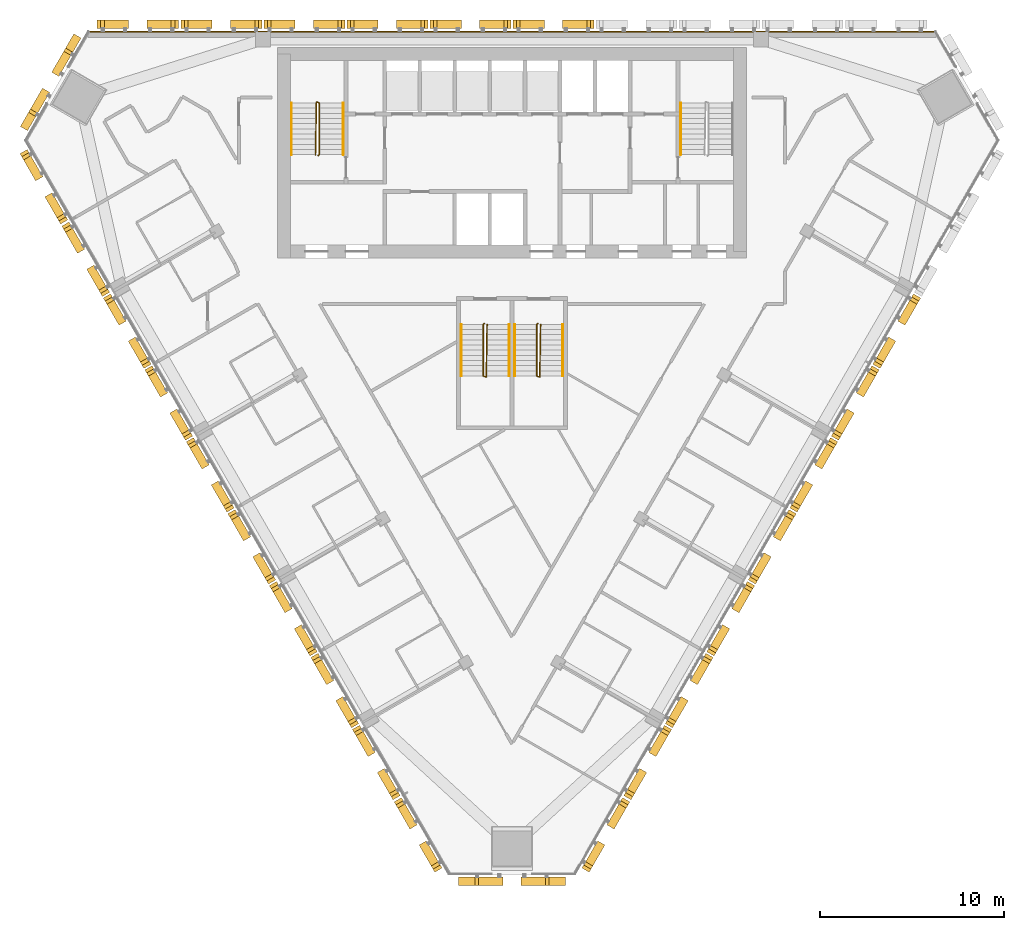
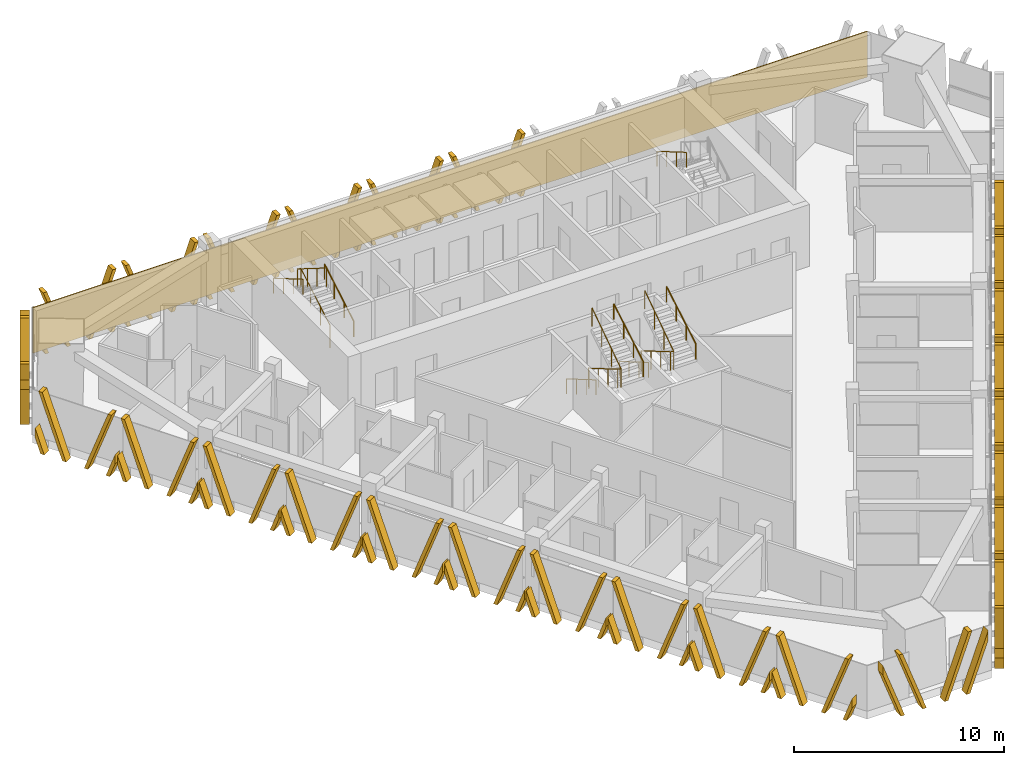
# One storey, part 14 of 16: 26 shading devices, 10 railings, 1 covering.
"""IFC4 building model written with IfcOpenShell, lengths in metres."""

from ifc_helpers import new_model, si_unit, direction, frame, frame_2d, origin, origin_2d, place, context, subcontext, project, spatial, polyline, rectangle, circle, outline, extrude, source, transform, mapped, material, layer, layer_set, type_object, element, save


model = new_model("IFC4")

# Units and contexts
model_context = context("Model", 3, precision=1e-05, world=origin(), true_north=direction((0.0, 1.0)))
body_context = subcontext(model_context, "Body", "Model", "MODEL_VIEW")
ifc_project = project(units=[si_unit("LENGTHUNIT", "METRE"), si_unit("AREAUNIT", "SQUARE_METRE"), si_unit("VOLUMEUNIT", "CUBIC_METRE"), si_unit("PLANEANGLEUNIT", "RADIAN"), si_unit("MASSUNIT", "GRAM", prefix="KILO")], contexts=[model_context])

# Site, building, storey
site_placement = place(None, origin())
site = spatial("IfcSite", under=ifc_project, at=site_placement, CompositionType="ELEMENT")
building_placement = place(site_placement, origin())
building = spatial("IfcBuilding", under=site, at=building_placement, Name="Altiplano Prism Tower", CompositionType="ELEMENT")
storey_placement = place(building_placement, frame((0.0, 0.0, 174.60009765625)))
storey = spatial("IfcBuildingStorey", under=building, at=storey_placement, Name="L45", CompositionType="ELEMENT", Elevation=174.60009765625)

# Railings
ifc_material_1 = material(Name="Steel S355", Category="steel")
railing_type_1 = type_object("IfcRailingType", Name="Stair guard 1100", PredefinedType="GUARDRAIL", material=ifc_material_1)
railing_1_placement = place(storey_placement, frame((74.5, 98.25, 0.0)))
element("IfcRailing", 1, at=railing_1_placement, inside=storey, type_object=railing_type_1, Name="L45 ST1 stair guard 1", PredefinedType="GUARDRAIL", context=body_context, shape_type="SweptSolid", body=[
    extrude(circle(Radius=0.02392578125, at=origin_2d()), frame((0.0, 0.0, 1.076171875), z_axis=(0.280808744504, 0.280808744504, 0.917765164963), x_axis=(-0.707106781187, 0.707106781187, 0.0)), (0.0, 0.0, 1.0), 0.17822265625),
    extrude(circle(Radius=0.02392578125, at=origin_2d()), frame((0.050048828125, 0.050048828125, 1.23974609375), z_axis=(0.0, 0.863393664356, 0.504530851732), x_axis=(-1.0, 0.0, 0.0)), (0.0, 0.0, 1.0), 3.2431640625),
    extrude(circle(Radius=0.02392578125, at=origin_2d()), frame((0.050048828125, 2.85009765625, 2.8759765625), z_axis=(-0.949145278916, 0.314838433982, 0.0), x_axis=(-0.314838433982, -0.949145278916, 0.0)), (0.0, 0.0, 1.0), 0.158203125),
    extrude(circle(Radius=0.02392578125, at=origin_2d()), frame((-0.10009765625, 2.89990234375, 2.8759765625), z_axis=(-0.01477401265, -0.845377694409, 0.533964682676), x_axis=(0.999847325713, -0.01747355902, 0.0)), (0.0, 0.0, 1.0), 3.37109375),
    extrude(circle(Radius=0.02099609375, at=origin_2d()), origin(), (0.0, 0.0, 1.0), 1.052001953125),
    extrude(circle(Radius=0.02099609375, at=origin_2d()), frame((0.050048828125, 0.050048828125, 0.16357421875)), (0.0, 0.0, 1.0), 1.052001953125),
    extrude(circle(Radius=0.02099609375, at=origin_2d()), frame((0.050048828125, 0.9833984375, 0.708984375)), (0.0, 0.0, 1.0), 1.052001953125),
    extrude(circle(Radius=0.02099609375, at=origin_2d()), frame((0.050048828125, 1.916748046875, 1.25439453125)), (0.0, 0.0, 1.0), 1.052001953125),
    extrude(circle(Radius=0.02099609375, at=origin_2d()), frame((0.050048828125, 2.85009765625, 1.7998046875)), (0.0, 0.0, 1.0), 1.052001953125),
    extrude(circle(Radius=0.02099609375, at=origin_2d()), frame((-0.10009765625, 2.89990234375, 1.7998046875)), (0.0, 0.0, 1.0), 1.052001953125),
    extrude(circle(Radius=0.02099609375, at=origin_2d()), frame((-0.11669921875, 1.949951171875, 2.39990234375)), (0.0, 0.0, 1.0), 1.052001953125),
    extrude(circle(Radius=0.02099609375, at=origin_2d()), frame((-0.13330078125, 1.0, 2.999755859375)), (0.0, 0.0, 1.0), 1.052001953125),
    extrude(circle(Radius=0.02099609375, at=origin_2d()), frame((-0.14990234375, 0.050048828125, 3.599853515625)), (0.0, 0.0, 1.0), 1.052001953125),
])
railing_2_placement = place(storey_placement, frame((83.5, 89.14990234375, 0.0)))
element("IfcRailing", 2, at=railing_2_placement, inside=storey, type_object=railing_type_1, Name="L45 ST3A stair guard 1", PredefinedType="GUARDRAIL", context=body_context, shape_type="SweptSolid", body=[
    extrude(circle(Radius=0.02392578125, at=origin_2d()), frame((0.0, 0.0, 1.076171875), z_axis=(-0.280916556609, -0.279546231943, 0.91811752648), x_axis=(0.705375805398, -0.708833529934, 0.0)), (0.0, 0.0, 1.0), 0.17822265625),
    extrude(circle(Radius=0.02392578125, at=origin_2d()), frame((-0.050048828125, -0.0498046875, 1.23974609375), z_axis=(0.0, -0.863393664356, 0.504530851732), x_axis=(1.0, 0.0, 0.0)), (0.0, 0.0, 1.0), 3.2431640625),
    extrude(circle(Radius=0.02392578125, at=origin_2d()), frame((-0.050048828125, -2.849853515625, 2.8759765625), z_axis=(0.948683298051, -0.316227766017, 0.0), x_axis=(0.316227766017, 0.948683298051, 0.0)), (0.0, 0.0, 1.0), 0.158203125),
    extrude(circle(Radius=0.02392578125, at=origin_2d()), frame((0.10009765625, -2.89990234375, 2.8759765625), z_axis=(0.014773108175, 0.84539835705, 0.533931993021), x_axis=(-0.999847351862, 0.017472062685, 0.0)), (0.0, 0.0, 1.0), 3.371337890625),
    extrude(circle(Radius=0.02099609375, at=origin_2d()), origin(), (0.0, 0.0, 1.0), 1.052001953125),
    extrude(circle(Radius=0.02099609375, at=origin_2d()), frame((-0.050048828125, -0.0498046875, 0.16357421875)), (0.0, 0.0, 1.0), 1.052001953125),
    extrude(circle(Radius=0.02099609375, at=origin_2d()), frame((-0.050048828125, -0.983154296875, 0.708984375)), (0.0, 0.0, 1.0), 1.052001953125),
    extrude(circle(Radius=0.02099609375, at=origin_2d()), frame((-0.050048828125, -1.91650390625, 1.25439453125)), (0.0, 0.0, 1.0), 1.052001953125),
    extrude(circle(Radius=0.02099609375, at=origin_2d()), frame((-0.050048828125, -2.849853515625, 1.7998046875)), (0.0, 0.0, 1.0), 1.052001953125),
    extrude(circle(Radius=0.02099609375, at=origin_2d()), frame((0.10009765625, -2.89990234375, 1.7998046875)), (0.0, 0.0, 1.0), 1.052001953125),
    extrude(circle(Radius=0.02099609375, at=origin_2d()), frame((0.11669921875, -1.949951171875, 2.39990234375)), (0.0, 0.0, 1.0), 1.052001953125),
    extrude(circle(Radius=0.02099609375, at=origin_2d()), frame((0.13330078125, -0.999755859375, 2.999755859375)), (0.0, 0.0, 1.0), 1.052001953125),
    extrude(circle(Radius=0.02099609375, at=origin_2d()), frame((0.14990234375, -0.0498046875, 3.599853515625)), (0.0, 0.0, 1.0), 1.052001953125),
])
railing_3_placement = place(storey_placement, frame((86.39990234375, 89.14990234375, 0.0)))
element("IfcRailing", 3, at=railing_3_placement, inside=storey, type_object=railing_type_1, Name="L45 ST3B stair guard 1", PredefinedType="GUARDRAIL", context=body_context, shape_type="SweptSolid", body=[
    extrude(circle(Radius=0.02392578125, at=origin_2d()), frame((0.0, 0.0, 1.076171875), z_axis=(-0.279653641804, -0.279653641804, 0.918470294159), x_axis=(0.707106781187, -0.707106781187, 0.0)), (0.0, 0.0, 1.0), 0.177978515625),
    extrude(circle(Radius=0.02392578125, at=origin_2d()), frame((-0.0498046875, -0.0498046875, 1.23974609375), z_axis=(0.0, -0.863393664356, 0.504530851732), x_axis=(1.0, 0.0, 0.0)), (0.0, 0.0, 1.0), 3.2431640625),
    extrude(circle(Radius=0.02392578125, at=origin_2d()), frame((-0.0498046875, -2.849853515625, 2.8759765625), z_axis=(0.948528701346, -0.316691178788, 0.0), x_axis=(0.316691178788, 0.948528701346, 0.0)), (0.0, 0.0, 1.0), 0.157958984375),
    extrude(circle(Radius=0.02392578125, at=origin_2d()), frame((0.10009765625, -2.89990234375, 2.8759765625), z_axis=(0.014845509451, 0.845397450405, 0.533931420407), x_axis=(-0.999845851991, 0.017557683712, 0.0)), (0.0, 0.0, 1.0), 3.371337890625),
    extrude(circle(Radius=0.02099609375, at=origin_2d()), origin(), (0.0, 0.0, 1.0), 1.052001953125),
    extrude(circle(Radius=0.02099609375, at=origin_2d()), frame((-0.0498046875, -0.0498046875, 0.16357421875)), (0.0, 0.0, 1.0), 1.052001953125),
    extrude(circle(Radius=0.02099609375, at=origin_2d()), frame((-0.0498046875, -0.983154296875, 0.708984375)), (0.0, 0.0, 1.0), 1.052001953125),
    extrude(circle(Radius=0.02099609375, at=origin_2d()), frame((-0.0498046875, -1.91650390625, 1.25439453125)), (0.0, 0.0, 1.0), 1.052001953125),
    extrude(circle(Radius=0.02099609375, at=origin_2d()), frame((-0.0498046875, -2.849853515625, 1.7998046875)), (0.0, 0.0, 1.0), 1.052001953125),
    extrude(circle(Radius=0.02099609375, at=origin_2d()), frame((0.10009765625, -2.89990234375, 1.7998046875)), (0.0, 0.0, 1.0), 1.052001953125),
    extrude(circle(Radius=0.02099609375, at=origin_2d()), frame((0.11669921875, -1.949951171875, 2.39990234375)), (0.0, 0.0, 1.0), 1.052001953125),
    extrude(circle(Radius=0.02099609375, at=origin_2d()), frame((0.133544921875, -0.999755859375, 2.999755859375)), (0.0, 0.0, 1.0), 1.052001953125),
    extrude(circle(Radius=0.02099609375, at=origin_2d()), frame((0.150146484375, -0.0498046875, 3.599853515625)), (0.0, 0.0, 1.0), 1.052001953125),
])
railing_type_2 = type_object("IfcRailingType", Name="Stair handrail 900", PredefinedType="HANDRAIL", material=ifc_material_1)
railing_4_placement = place(storey_placement, frame((75.85009765625, 98.300048828125, 0.16357421875)))
element("IfcRailing", 4, at=railing_4_placement, inside=storey, type_object=railing_type_2, Name="L45 ST1 stair handrail 1", PredefinedType="HANDRAIL", context=body_context, shape_type="SweptSolid", body=[
    extrude(circle(Radius=0.02392578125, at=origin_2d()), frame((0.0, 0.0, 0.8759765625), z_axis=(0.0, 0.863393664356, 0.504530851732), x_axis=(-1.0, 0.0, 0.0)), (0.0, 0.0, 1.0), 3.2431640625),
    extrude(circle(Radius=0.02099609375, at=origin_2d()), origin(), (0.0, 0.0, 1.0), 0.851806640625),
    extrude(circle(Radius=0.02099609375, at=origin_2d()), frame((0.0, 0.933349609375, 0.54541015625)), (0.0, 0.0, 1.0), 0.851806640625),
    extrude(circle(Radius=0.02099609375, at=origin_2d()), frame((0.0, 1.86669921875, 1.0908203125)), (0.0, 0.0, 1.0), 0.851806640625),
    extrude(circle(Radius=0.02099609375, at=origin_2d()), frame((0.0, 2.800048828125, 1.63623046875)), (0.0, 0.0, 1.0), 0.851806640625),
])
for number, where, name in (
    (5, (73.050048828125, 101.10009765625, 1.963623046875), "L45 ST1 stair handrail 2"),
    (6, (94.14990234375, 101.10009765625, 1.963623046875), "L45 ST2 stair handrail 2"),
    (7, (82.25, 89.10009765625, 0.16357421875), "L45 ST3A stair handrail 1"),
):
    element("IfcRailing", number, at=place(storey_placement, frame(where)), inside=storey, type_object=railing_type_2, Name=name, PredefinedType="HANDRAIL", context=body_context, shape_type="SweptSolid", body=[
        extrude(circle(Radius=0.02392578125, at=origin_2d()), frame((0.0, 0.0, 0.8759765625), z_axis=(0.0, -0.863393664356, 0.504530851732), x_axis=(1.0, 0.0, 0.0)), (0.0, 0.0, 1.0), 3.2431640625),
        extrude(circle(Radius=0.02099609375, at=origin_2d()), origin(), (0.0, 0.0, 1.0), 0.851806640625),
        extrude(circle(Radius=0.02099609375, at=origin_2d()), frame((0.0, -0.933349609375, 0.54541015625)), (0.0, 0.0, 1.0), 0.851806640625),
        extrude(circle(Radius=0.02099609375, at=origin_2d()), frame((0.0, -1.86669921875, 1.0908203125)), (0.0, 0.0, 1.0), 0.851806640625),
        extrude(circle(Radius=0.02099609375, at=origin_2d()), frame((0.0, -2.800048828125, 1.63623046875)), (0.0, 0.0, 1.0), 0.851806640625),
    ])
railing_5_placement = place(storey_placement, frame((84.85009765625, 86.300048828125, 1.963623046875)))
element("IfcRailing", 8, at=railing_5_placement, inside=storey, type_object=railing_type_2, Name="L45 ST3A stair handrail 2", PredefinedType="HANDRAIL", context=body_context, shape_type="SweptSolid", body=[
    extrude(circle(Radius=0.02392578125, at=origin_2d()), frame((0.0, 0.0, 0.8759765625), z_axis=(0.0, 0.863393664356, 0.504530851732), x_axis=(-1.0, 0.0, 0.0)), (0.0, 0.0, 1.0), 3.2431640625),
    extrude(circle(Radius=0.02099609375, at=origin_2d()), origin(), (0.0, 0.0, 1.0), 0.851806640625),
    extrude(circle(Radius=0.02099609375, at=origin_2d()), frame((0.0, 0.933349609375, 0.54541015625)), (0.0, 0.0, 1.0), 0.851806640625),
    extrude(circle(Radius=0.02099609375, at=origin_2d()), frame((0.0, 1.86669921875, 1.0908203125)), (0.0, 0.0, 1.0), 0.851806640625),
    extrude(circle(Radius=0.02099609375, at=origin_2d()), frame((0.0, 2.800048828125, 1.63623046875)), (0.0, 0.0, 1.0), 0.851806640625),
])
railing_6_placement = place(storey_placement, frame((85.14990234375, 89.10009765625, 0.16357421875)))
element("IfcRailing", 9, at=railing_6_placement, inside=storey, type_object=railing_type_2, Name="L45 ST3B stair handrail 1", PredefinedType="HANDRAIL", context=body_context, shape_type="SweptSolid", body=[
    extrude(circle(Radius=0.02392578125, at=origin_2d()), frame((0.0, 0.0, 0.8759765625), z_axis=(0.0, -0.863393664356, 0.504530851732), x_axis=(1.0, 0.0, 0.0)), (0.0, 0.0, 1.0), 3.2431640625),
    extrude(circle(Radius=0.02099609375, at=origin_2d()), origin(), (0.0, 0.0, 1.0), 0.851806640625),
    extrude(circle(Radius=0.02099609375, at=origin_2d()), frame((0.0, -0.933349609375, 0.54541015625)), (0.0, 0.0, 1.0), 0.851806640625),
    extrude(circle(Radius=0.02099609375, at=origin_2d()), frame((0.0, -1.86669921875, 1.0908203125)), (0.0, 0.0, 1.0), 0.851806640625),
    extrude(circle(Radius=0.02099609375, at=origin_2d()), frame((0.0, -2.800048828125, 1.63623046875)), (0.0, 0.0, 1.0), 0.851806640625),
])
railing_7_placement = place(storey_placement, frame((87.75, 86.300048828125, 1.963623046875)))
element("IfcRailing", 10, at=railing_7_placement, inside=storey, type_object=railing_type_2, Name="L45 ST3B stair handrail 2", PredefinedType="HANDRAIL", context=body_context, shape_type="SweptSolid", body=[
    extrude(circle(Radius=0.02392578125, at=origin_2d()), frame((0.0, 0.0, 0.8759765625), z_axis=(0.0, 0.863393664356, 0.504530851732), x_axis=(-1.0, 0.0, 0.0)), (0.0, 0.0, 1.0), 3.2431640625),
    extrude(circle(Radius=0.02099609375, at=origin_2d()), origin(), (0.0, 0.0, 1.0), 0.851806640625),
    extrude(circle(Radius=0.02099609375, at=origin_2d()), frame((0.0, 0.933349609375, 0.54541015625)), (0.0, 0.0, 1.0), 0.851806640625),
    extrude(circle(Radius=0.02099609375, at=origin_2d()), frame((0.0, 1.86669921875, 1.0908203125)), (0.0, 0.0, 1.0), 0.851806640625),
    extrude(circle(Radius=0.02099609375, at=origin_2d()), frame((0.0, 2.800048828125, 1.63623046875)), (0.0, 0.0, 1.0), 0.851806640625),
])

# Covering
ifc_material_2 = material(Name="Warm limestone cast stone", Category="masonry")
ifc_layer = layer(ifc_material_2, 0.06005859375)
ifc_layer_set = layer_set([ifc_layer], Name="Warm limestone cast stone")
covering_type = type_object("IfcCoveringType", Name="Stone cladding 60", PredefinedType="CLADDING", material=ifc_layer_set)
covering_placement = place(storey_placement, frame((62.0302734375, 104.969970703125, 0.0), z_axis=(0.0, 0.0, 1.0), x_axis=(1.0, 0.0, 0.0)))
element("IfcCovering", 11, at=covering_placement, inside=storey, type_object=covering_type, Name="Stone cladding north face L45", PredefinedType="CLADDING", context=body_context, shape_type="SweptSolid", body=[
    extrude(rectangle(XDim=45.939453125, YDim=0.06005859375, at=frame_2d((22.9697265625, 0.0))), origin(), (0.0, 0.0, 1.0), 2.64990234375),
])

# Shading devices
shading_device_type_1 = type_object("IfcShadingDeviceType", Name="Stone fin panel, standard unit", PredefinedType="USERDEFINED", material=ifc_material_2)
shared_shape_1 = source(origin(), body_context, "Body", "SweptSolid", [
    extrude(outline(polyline([(-2.199951171875, 1.373779296875), (-2.199951171875, 0.82421875), (-1.89990234375, 0.0), (-1.699951171875, 0.0), (-2.199951171875, 1.373779296875)])), frame((0.0, -0.14990234375, 0.0), z_axis=(0.0, -1.0, 0.0), x_axis=(1.0, 0.0, 0.0)), (0.0, 0.0, 1.0), 0.4501953125),
    extrude(outline(polyline([(-2.01025390625, 3.60009765625), (-0.699951171875, 0.0), (-0.5, 0.0), (-1.810302734375, 3.60009765625), (-2.01025390625, 3.60009765625)])), frame((0.0, -0.14990234375, 0.0), z_axis=(0.0, -1.0, 0.0), x_axis=(1.0, 0.0, 0.0)), (0.0, 0.0, 1.0), 0.4501953125),
    extrude(outline(polyline([(1.810302734375, 3.60009765625), (0.5, 0.0), (0.699951171875, 0.0), (2.01025390625, 3.60009765625), (1.810302734375, 3.60009765625)])), frame((0.0, -0.14990234375, 0.0), z_axis=(0.0, -1.0, 0.0), x_axis=(1.0, 0.0, 0.0)), (0.0, 0.0, 1.0), 0.4501953125),
    extrude(outline(polyline([(2.199951171875, 0.82421875), (2.199951171875, 1.373779296875), (1.699951171875, 0.0), (1.89990234375, 0.0), (2.199951171875, 0.82421875)])), frame((0.0, -0.14990234375, 0.0), z_axis=(0.0, -1.0, 0.0), x_axis=(1.0, 0.0, 0.0)), (0.0, 0.0, 1.0), 0.4501953125),
])
shading_device_1_placement = place(storey_placement, origin())
element("IfcShadingDevice", 12, at=shading_device_1_placement, inside=storey, type_object=shading_device_type_1, Name="Fin L45 north face 5", ObjectType="FIN", PredefinedType="USERDEFINED", context=body_context, shape_type="MappedRepresentation", body=[
    mapped(shared_shape_1, transform((87.25, 105.0, -0.4501953125), x_axis=(-1.0, 0.0, 0.0), y_axis=(0.0, -1.0, 0.0), z_axis=(0.0, 0.0, 1.0))),
])
shading_device_2_placement = place(storey_placement, origin())
element("IfcShadingDevice", 13, at=shading_device_2_placement, inside=storey, type_object=shading_device_type_1, Name="Fin L45 north face 6", ObjectType="FIN", PredefinedType="USERDEFINED", context=body_context, shape_type="MappedRepresentation", body=[
    mapped(shared_shape_1, transform((82.75, 105.0, -0.4501953125), x_axis=(-1.0, 0.0, 0.0), y_axis=(0.0, -1.0, 0.0), z_axis=(0.0, 0.0, 1.0))),
])
shading_device_3_placement = place(storey_placement, origin())
element("IfcShadingDevice", 14, at=shading_device_3_placement, inside=storey, type_object=shading_device_type_1, Name="Fin L45 north face 7", ObjectType="FIN", PredefinedType="USERDEFINED", context=body_context, shape_type="MappedRepresentation", body=[
    mapped(shared_shape_1, transform((78.25, 105.0, -0.4501953125), x_axis=(-1.0, 0.0, 0.0), y_axis=(0.0, -1.0, 0.0), z_axis=(0.0, 0.0, 1.0))),
])
shading_device_4_placement = place(storey_placement, origin())
element("IfcShadingDevice", 15, at=shading_device_4_placement, inside=storey, type_object=shading_device_type_1, Name="Fin L45 north face 8", ObjectType="FIN", PredefinedType="USERDEFINED", context=body_context, shape_type="MappedRepresentation", body=[
    mapped(shared_shape_1, transform((73.75, 105.0, -0.4501953125), x_axis=(-1.0, 0.0, 0.0), y_axis=(0.0, -1.0, 0.0), z_axis=(0.0, 0.0, 1.0))),
])
shading_device_5_placement = place(storey_placement, origin())
element("IfcShadingDevice", 16, at=shading_device_5_placement, inside=storey, type_object=shading_device_type_1, Name="Fin L45 north face 9", ObjectType="FIN", PredefinedType="USERDEFINED", context=body_context, shape_type="MappedRepresentation", body=[
    mapped(shared_shape_1, transform((69.25, 105.0, -0.4501953125), x_axis=(-1.0, 0.0, 0.0), y_axis=(0.0, -1.0, 0.0), z_axis=(0.0, 0.0, 1.0))),
])
shading_device_type_2 = type_object("IfcShadingDeviceType", Name="Stone fin panel, wide closing bay", PredefinedType="USERDEFINED", material=ifc_material_2)
shading_device_6_placement = place(storey_placement, origin())
element("IfcShadingDevice", 17, at=shading_device_6_placement, inside=storey, type_object=shading_device_type_2, Name="Fin L45 north face 10", ObjectType="FIN", PredefinedType="USERDEFINED", context=body_context, shape_type="MappedRepresentation", body=[
    mapped(shared_shape_1, transform((64.715087890625, 105.0, -0.4501953125), x_axis=(-1.0, 0.0, 0.0), y_axis=(0.0, -1.0, 0.0), z_axis=(0.0, 0.0, 1.0))),
])
shading_device_7_placement = place(storey_placement, origin())
element("IfcShadingDevice", 18, at=shading_device_7_placement, inside=storey, type_object=shading_device_type_2, Name="Fin L45 south-west face 1", ObjectType="FIN", PredefinedType="USERDEFINED", context=body_context, shape_type="MappedRepresentation", body=[
    mapped(shared_shape_1, transform((59.95068359375, 96.74755859375, -0.4501953125), x_axis=(0.499999994108, -0.866025407186, 0.0), y_axis=(0.866025407186, 0.499999994108, 0.0), z_axis=(0.0, 0.0, 1.0))),
])
shading_device_8_placement = place(storey_placement, origin())
element("IfcShadingDevice", 19, at=shading_device_8_placement, inside=storey, type_object=shading_device_type_1, Name="Fin L45 south-west face 2", ObjectType="FIN", PredefinedType="USERDEFINED", context=body_context, shape_type="MappedRepresentation", body=[
    mapped(shared_shape_1, transform((62.218017578125, 92.8203125, -0.4501953125), x_axis=(0.499999994108, -0.866025407186, 0.0), y_axis=(0.866025407186, 0.499999994108, 0.0), z_axis=(0.0, 0.0, 1.0))),
])
shading_device_9_placement = place(storey_placement, origin())
element("IfcShadingDevice", 20, at=shading_device_9_placement, inside=storey, type_object=shading_device_type_1, Name="Fin L45 south-west face 3", ObjectType="FIN", PredefinedType="USERDEFINED", context=body_context, shape_type="MappedRepresentation", body=[
    mapped(shared_shape_1, transform((64.468017578125, 88.923095703125, -0.4501953125), x_axis=(0.499999994108, -0.866025407186, 0.0), y_axis=(0.866025407186, 0.499999994108, 0.0), z_axis=(0.0, 0.0, 1.0))),
])
shading_device_10_placement = place(storey_placement, origin())
element("IfcShadingDevice", 21, at=shading_device_10_placement, inside=storey, type_object=shading_device_type_1, Name="Fin L45 south-west face 4", ObjectType="FIN", PredefinedType="USERDEFINED", context=body_context, shape_type="MappedRepresentation", body=[
    mapped(shared_shape_1, transform((66.718017578125, 85.026123046875, -0.4501953125), x_axis=(0.499999994108, -0.866025407186, 0.0), y_axis=(0.866025407186, 0.499999994108, 0.0), z_axis=(0.0, 0.0, 1.0))),
])
shading_device_11_placement = place(storey_placement, origin())
element("IfcShadingDevice", 22, at=shading_device_11_placement, inside=storey, type_object=shading_device_type_1, Name="Fin L45 south-west face 5", ObjectType="FIN", PredefinedType="USERDEFINED", context=body_context, shape_type="MappedRepresentation", body=[
    mapped(shared_shape_1, transform((68.968017578125, 81.12890625, -0.4501953125), x_axis=(0.499999994108, -0.866025407186, 0.0), y_axis=(0.866025407186, 0.499999994108, 0.0), z_axis=(0.0, 0.0, 1.0))),
])
shading_device_12_placement = place(storey_placement, origin())
element("IfcShadingDevice", 23, at=shading_device_12_placement, inside=storey, type_object=shading_device_type_1, Name="Fin L45 south-west face 6", ObjectType="FIN", PredefinedType="USERDEFINED", context=body_context, shape_type="MappedRepresentation", body=[
    mapped(shared_shape_1, transform((71.218017578125, 77.23193359375, -0.4501953125), x_axis=(0.499999994108, -0.866025407186, 0.0), y_axis=(0.866025407186, 0.499999994108, 0.0), z_axis=(0.0, 0.0, 1.0))),
])
shading_device_13_placement = place(storey_placement, origin())
element("IfcShadingDevice", 24, at=shading_device_13_placement, inside=storey, type_object=shading_device_type_1, Name="Fin L45 south-west face 7", ObjectType="FIN", PredefinedType="USERDEFINED", context=body_context, shape_type="MappedRepresentation", body=[
    mapped(shared_shape_1, transform((73.468017578125, 73.334716796875, -0.4501953125), x_axis=(0.499999994108, -0.866025407186, 0.0), y_axis=(0.866025407186, 0.499999994108, 0.0), z_axis=(0.0, 0.0, 1.0))),
])
shading_device_14_placement = place(storey_placement, origin())
element("IfcShadingDevice", 25, at=shading_device_14_placement, inside=storey, type_object=shading_device_type_1, Name="Fin L45 south-west face 8", ObjectType="FIN", PredefinedType="USERDEFINED", context=body_context, shape_type="MappedRepresentation", body=[
    mapped(shared_shape_1, transform((75.718017578125, 69.4375, -0.4501953125), x_axis=(0.499999994108, -0.866025407186, 0.0), y_axis=(0.866025407186, 0.499999994108, 0.0), z_axis=(0.0, 0.0, 1.0))),
])
shading_device_15_placement = place(storey_placement, origin())
element("IfcShadingDevice", 26, at=shading_device_15_placement, inside=storey, type_object=shading_device_type_1, Name="Fin L45 south-west face 9", ObjectType="FIN", PredefinedType="USERDEFINED", context=body_context, shape_type="MappedRepresentation", body=[
    mapped(shared_shape_1, transform((77.968017578125, 65.54052734375, -0.4501953125), x_axis=(0.499999994108, -0.866025407186, 0.0), y_axis=(0.866025407186, 0.499999994108, 0.0), z_axis=(0.0, 0.0, 1.0))),
])
shading_device_16_placement = place(storey_placement, origin())
element("IfcShadingDevice", 27, at=shading_device_16_placement, inside=storey, type_object=shading_device_type_2, Name="Fin L45 south-west face 10", ObjectType="FIN", PredefinedType="USERDEFINED", context=body_context, shape_type="MappedRepresentation", body=[
    mapped(shared_shape_1, transform((80.2353515625, 61.61328125, -0.4501953125), x_axis=(0.499999994108, -0.866025407186, 0.0), y_axis=(0.866025407186, 0.499999994108, 0.0), z_axis=(0.0, 0.0, 1.0))),
])
shading_device_17_placement = place(storey_placement, origin())
element("IfcShadingDevice", 28, at=shading_device_17_placement, inside=storey, type_object=shading_device_type_2, Name="Fin L45 south-east face 1", ObjectType="FIN", PredefinedType="USERDEFINED", context=body_context, shape_type="MappedRepresentation", body=[
    mapped(shared_shape_1, transform((89.7646484375, 61.61328125, -0.4501953125), x_axis=(0.499999994108, 0.866025407186, 0.0), y_axis=(-0.866025407186, 0.499999994108, 0.0), z_axis=(0.0, 0.0, 1.0))),
])
shading_device_18_placement = place(storey_placement, origin())
element("IfcShadingDevice", 29, at=shading_device_18_placement, inside=storey, type_object=shading_device_type_1, Name="Fin L45 south-east face 2", ObjectType="FIN", PredefinedType="USERDEFINED", context=body_context, shape_type="MappedRepresentation", body=[
    mapped(shared_shape_1, transform((92.031982421875, 65.54052734375, -0.4501953125), x_axis=(0.499999994108, 0.866025407186, 0.0), y_axis=(-0.866025407186, 0.499999994108, 0.0), z_axis=(0.0, 0.0, 1.0))),
])
shading_device_19_placement = place(storey_placement, origin())
element("IfcShadingDevice", 30, at=shading_device_19_placement, inside=storey, type_object=shading_device_type_1, Name="Fin L45 south-east face 3", ObjectType="FIN", PredefinedType="USERDEFINED", context=body_context, shape_type="MappedRepresentation", body=[
    mapped(shared_shape_1, transform((94.281982421875, 69.4375, -0.4501953125), x_axis=(0.499999994108, 0.866025407186, 0.0), y_axis=(-0.866025407186, 0.499999994108, 0.0), z_axis=(0.0, 0.0, 1.0))),
])
shading_device_20_placement = place(storey_placement, origin())
element("IfcShadingDevice", 31, at=shading_device_20_placement, inside=storey, type_object=shading_device_type_1, Name="Fin L45 south-east face 4", ObjectType="FIN", PredefinedType="USERDEFINED", context=body_context, shape_type="MappedRepresentation", body=[
    mapped(shared_shape_1, transform((96.531982421875, 73.334716796875, -0.4501953125), x_axis=(0.499999994108, 0.866025407186, 0.0), y_axis=(-0.866025407186, 0.499999994108, 0.0), z_axis=(0.0, 0.0, 1.0))),
])
shading_device_21_placement = place(storey_placement, origin())
element("IfcShadingDevice", 32, at=shading_device_21_placement, inside=storey, type_object=shading_device_type_1, Name="Fin L45 south-east face 5", ObjectType="FIN", PredefinedType="USERDEFINED", context=body_context, shape_type="MappedRepresentation", body=[
    mapped(shared_shape_1, transform((98.781982421875, 77.23193359375, -0.4501953125), x_axis=(0.499999994108, 0.866025407186, 0.0), y_axis=(-0.866025407186, 0.499999994108, 0.0), z_axis=(0.0, 0.0, 1.0))),
])
shading_device_22_placement = place(storey_placement, origin())
element("IfcShadingDevice", 33, at=shading_device_22_placement, inside=storey, type_object=shading_device_type_1, Name="Fin L45 south-east face 6", ObjectType="FIN", PredefinedType="USERDEFINED", context=body_context, shape_type="MappedRepresentation", body=[
    mapped(shared_shape_1, transform((101.031982421875, 81.12890625, -0.4501953125), x_axis=(0.499999994108, 0.866025407186, 0.0), y_axis=(-0.866025407186, 0.499999994108, 0.0), z_axis=(0.0, 0.0, 1.0))),
])
shading_device_23_placement = place(storey_placement, origin())
element("IfcShadingDevice", 34, at=shading_device_23_placement, inside=storey, type_object=shading_device_type_1, Name="Fin L45 south-east face 7", ObjectType="FIN", PredefinedType="USERDEFINED", context=body_context, shape_type="MappedRepresentation", body=[
    mapped(shared_shape_1, transform((103.281982421875, 85.026123046875, -0.4501953125), x_axis=(0.499999994108, 0.866025407186, 0.0), y_axis=(-0.866025407186, 0.499999994108, 0.0), z_axis=(0.0, 0.0, 1.0))),
])
shading_device_24_placement = place(storey_placement, origin())
element("IfcShadingDevice", 35, at=shading_device_24_placement, inside=storey, type_object=shading_device_type_1, Name="Fin L45 south-east face 8", ObjectType="FIN", PredefinedType="USERDEFINED", context=body_context, shape_type="MappedRepresentation", body=[
    mapped(shared_shape_1, transform((105.531982421875, 88.923095703125, -0.4501953125), x_axis=(0.499999994108, 0.866025407186, 0.0), y_axis=(-0.866025407186, 0.499999994108, 0.0), z_axis=(0.0, 0.0, 1.0))),
])
shading_device_type_3 = type_object("IfcShadingDeviceType", Name="Stone fin panel, chamfer unit", PredefinedType="USERDEFINED", material=ifc_material_2)
shared_shape_2 = source(origin(), body_context, "Body", "SweptSolid", [
    extrude(outline(polyline([(-2.89990234375, 3.297119140625), (-2.89990234375, 2.74755859375), (-1.89990234375, 0.0), (-1.699951171875, 0.0), (-2.89990234375, 3.297119140625)])), frame((0.0, -0.14990234375, 0.0), z_axis=(0.0, -1.0, 0.0), x_axis=(1.0, 0.0, 0.0)), (0.0, 0.0, 1.0), 0.4501953125),
    extrude(outline(polyline([(-2.01025390625, 3.60009765625), (-0.699951171875, 0.0), (-0.5, 0.0), (-1.810302734375, 3.60009765625), (-2.01025390625, 3.60009765625)])), frame((0.0, -0.14990234375, 0.0), z_axis=(0.0, -1.0, 0.0), x_axis=(1.0, 0.0, 0.0)), (0.0, 0.0, 1.0), 0.4501953125),
    extrude(outline(polyline([(1.810302734375, 3.60009765625), (0.5, 0.0), (0.699951171875, 0.0), (2.01025390625, 3.60009765625), (1.810302734375, 3.60009765625)])), frame((0.0, -0.14990234375, 0.0), z_axis=(0.0, -1.0, 0.0), x_axis=(1.0, 0.0, 0.0)), (0.0, 0.0, 1.0), 0.4501953125),
    extrude(outline(polyline([(2.89990234375, 2.74755859375), (2.89990234375, 3.297119140625), (1.699951171875, 0.0), (1.89990234375, 0.0), (2.89990234375, 2.74755859375)])), frame((0.0, -0.14990234375, 0.0), z_axis=(0.0, -1.0, 0.0), x_axis=(1.0, 0.0, 0.0)), (0.0, 0.0, 1.0), 0.4501953125),
])
shading_device_25_placement = place(storey_placement, origin())
element("IfcShadingDevice", 36, at=shading_device_25_placement, inside=storey, type_object=shading_device_type_3, Name="Fin L45 north-west chamfer 1", ObjectType="FIN", PredefinedType="USERDEFINED", context=body_context, shape_type="MappedRepresentation", body=[
    mapped(shared_shape_2, transform((60.3193359375, 102.036376953125, -0.4501953125), x_axis=(-0.500000020103, -0.866025392178, 0.0), y_axis=(0.866025392178, -0.500000020103, 0.0), z_axis=(0.0, 0.0, 1.0))),
])
shading_device_26_placement = place(storey_placement, origin())
element("IfcShadingDevice", 37, at=shading_device_26_placement, inside=storey, type_object=shading_device_type_3, Name="Fin L45 south chamfer 1", ObjectType="FIN", PredefinedType="USERDEFINED", context=body_context, shape_type="MappedRepresentation", body=[
    mapped(shared_shape_2, transform((85.0, 59.2880859375, -0.4501953125), x_axis=(1.0, 0.0, 0.0), y_axis=(0.0, 1.0, 0.0), z_axis=(0.0, 0.0, 1.0))),
])

save(model, "model.ifc")
